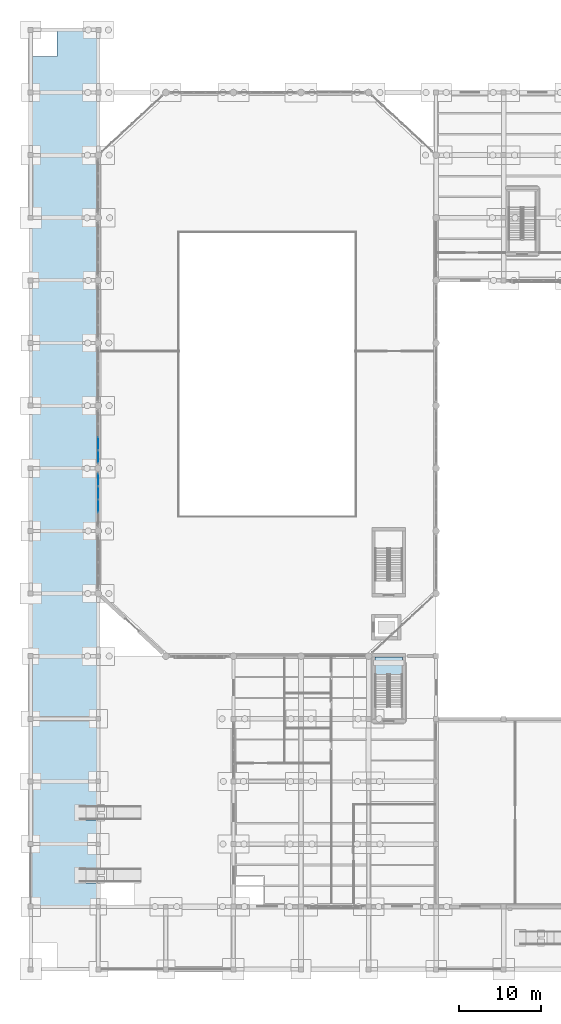
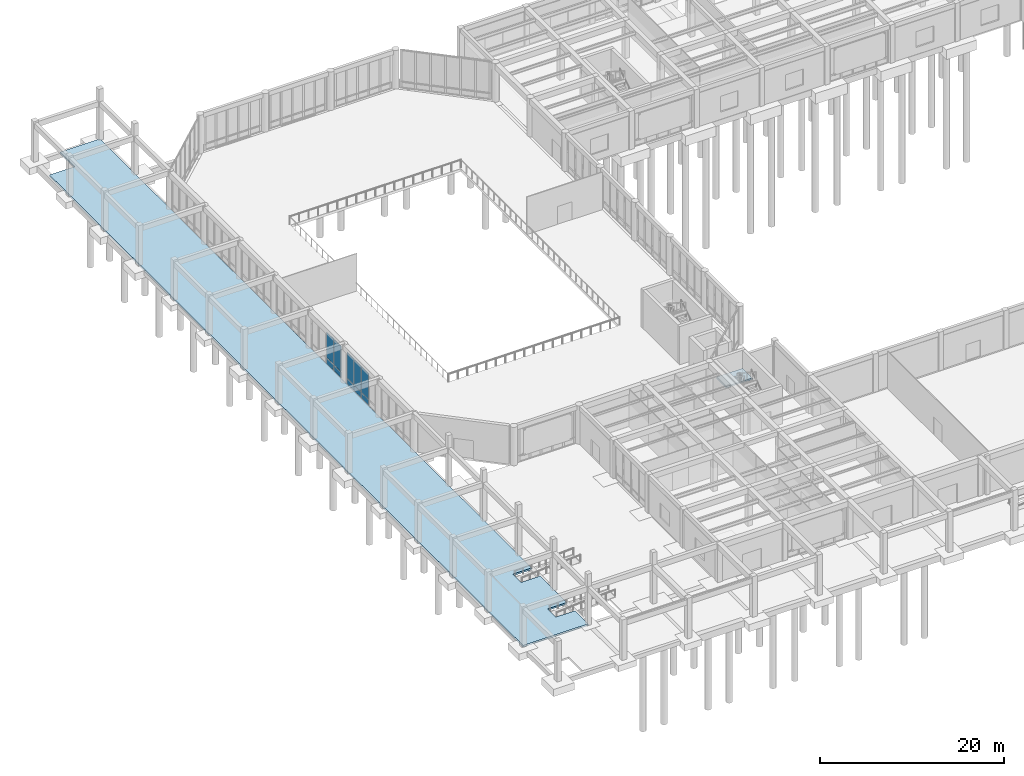
# One storey, part 35 of 64: 10 plates, 2 slabs, 3 elements without a shape of their own.
"""IFC4 building model written with IfcOpenShell, lengths in metres."""

from ifc_helpers import new_model, si_unit, direction, frame, origin, origin_2d, place, context, subcontext, project, spatial, polyline, rectangle, outline, extrude, material, layer, layer_set, type_object, element, aggregate, save


model = new_model("IFC4")

# Units and contexts
model_context = context("Model", 3, precision=1e-05, world=origin(), true_north=direction((0.0, 1.0)))
body_context = subcontext(model_context, "Body", "Model", "MODEL_VIEW")
ifc_project = project(units=[si_unit("LENGTHUNIT", "METRE"), si_unit("AREAUNIT", "SQUARE_METRE"), si_unit("VOLUMEUNIT", "CUBIC_METRE"), si_unit("PLANEANGLEUNIT", "RADIAN"), si_unit("MASSUNIT", "GRAM", prefix="KILO")], contexts=[model_context])

# Site, building, storey
site_placement = place(None, origin())
site = spatial("IfcSite", under=ifc_project, at=site_placement, CompositionType="ELEMENT")
building_placement = place(site_placement, origin())
building = spatial("IfcBuilding", under=site, at=building_placement, Name="Qandaris Square Conservatory and Botanical Centre", CompositionType="ELEMENT")
storey_placement = place(building_placement, origin())
storey = spatial("IfcBuildingStorey", under=building, at=storey_placement, Name="L00", CompositionType="ELEMENT", Elevation=0.0)

# Curtain wall, plates
ifc_material_1 = material(Name="Anodised Aluminium", Category="aluminium")
curtain_wall_type = type_object("IfcCurtainWallType", Name="Unitised Curtain Wall CW-1-644x435", PredefinedType="USERDEFINED", material=ifc_material_1)
curtain_wall_1_placement = place(storey_placement, origin())
curtain_wall_1 = element("IfcCurtainWall", 1, at=curtain_wall_1_placement, inside=storey, type_object=curtain_wall_type, Name="Curtain Wall CW-CON-L00-7-5", ObjectType="GLAZED CURTAIN WALL", PredefinedType="USERDEFINED")
ifc_material_2 = material(Name="Tempered Low-E Glass", Category="glass")
ifc_layer_1 = layer(ifc_material_2, 0.0400390625)
ifc_layer_set_1 = layer_set([ifc_layer_1], Name="Tempered Low-E Glass")
plate_type = type_object("IfcPlateType", Name="Conservatory Laminated Low-Iron Biome Glass 40mm", PredefinedType="CURTAIN_PANEL", material=ifc_layer_set_1)
plate_1_placement = place(storey_placement, frame((16.199951171875, 72.794921875, 0.0751953125), z_axis=(0.0, 0.0, 1.0), x_axis=(0.0, -1.0, 0.0)))
plate_1 = element("IfcPlate", 2, at=plate_1_placement, type_object=plate_type, Name="CW-1-644x435 panel 3.1", PredefinedType="CURTAIN_PANEL", context=body_context, shape_type="SweptSolid", body=[
    extrude(rectangle(XDim=1.534912109375, YDim=0.0400390625, at=origin_2d()), origin(), (0.0, 0.0, 1.0), 0.737548828125),
])
plate_2_placement = place(storey_placement, frame((16.199951171875, 72.794921875, 0.8876953125), z_axis=(0.0, 0.0, 1.0), x_axis=(0.0, -1.0, 0.0)))
plate_2 = element("IfcPlate", 3, at=plate_2_placement, type_object=plate_type, Name="CW-1-644x435 panel 3.2", PredefinedType="CURTAIN_PANEL", context=body_context, shape_type="SweptSolid", body=[
    extrude(rectangle(XDim=1.534912109375, YDim=0.0400390625, at=origin_2d()), origin(), (0.0, 0.0, 1.0), 3.387451171875),
])
plate_3_placement = place(storey_placement, frame((16.199951171875, 71.203857421875, 0.0751953125), z_axis=(0.0, 0.0, 1.0), x_axis=(0.0, -1.0, 0.0)))
plate_3 = element("IfcPlate", 4, at=plate_3_placement, type_object=plate_type, Name="CW-1-644x435 panel 4.1", PredefinedType="CURTAIN_PANEL", context=body_context, shape_type="SweptSolid", body=[
    extrude(rectangle(XDim=1.49755859375, YDim=0.0400390625, at=origin_2d()), origin(), (0.0, 0.0, 1.0), 0.737548828125),
])
plate_4_placement = place(storey_placement, frame((16.199951171875, 71.203857421875, 0.8876953125), z_axis=(0.0, 0.0, 1.0), x_axis=(0.0, -1.0, 0.0)))
plate_4 = element("IfcPlate", 5, at=plate_4_placement, type_object=plate_type, Name="CW-1-644x435 panel 4.2", PredefinedType="CURTAIN_PANEL", context=body_context, shape_type="SweptSolid", body=[
    extrude(rectangle(XDim=1.49755859375, YDim=0.0400390625, at=origin_2d()), origin(), (0.0, 0.0, 1.0), 3.387451171875),
])
aggregate(curtain_wall_1, [plate_1, plate_2, plate_3, plate_4])

curtain_wall_2_placement = place(storey_placement, origin())
curtain_wall_2 = element("IfcCurtainWall", 6, at=curtain_wall_2_placement, inside=storey, type_object=curtain_wall_type, Name="Curtain Wall CW-CON-L00-7-6", ObjectType="GLAZED CURTAIN WALL", PredefinedType="USERDEFINED")
plate_5_placement = place(storey_placement, frame((16.199951171875, 68.396240234375, 0.0751953125), z_axis=(0.0, 0.0, 1.0), x_axis=(0.0, -1.0, 0.0)))
plate_5 = element("IfcPlate", 7, at=plate_5_placement, type_object=plate_type, Name="CW-1-644x435 panel 1.1", PredefinedType="CURTAIN_PANEL", context=body_context, shape_type="SweptSolid", body=[
    extrude(rectangle(XDim=1.49755859375, YDim=0.0400390625, at=origin_2d()), origin(), (0.0, 0.0, 1.0), 0.737548828125),
])
plate_6_placement = place(storey_placement, frame((16.199951171875, 68.396240234375, 0.8876953125), z_axis=(0.0, 0.0, 1.0), x_axis=(0.0, -1.0, 0.0)))
plate_6 = element("IfcPlate", 8, at=plate_6_placement, type_object=plate_type, Name="CW-1-644x435 panel 1.2", PredefinedType="CURTAIN_PANEL", context=body_context, shape_type="SweptSolid", body=[
    extrude(rectangle(XDim=1.49755859375, YDim=0.0400390625, at=origin_2d()), origin(), (0.0, 0.0, 1.0), 3.387451171875),
])
plate_7_placement = place(storey_placement, frame((16.199951171875, 66.804931640625, 0.0751953125), z_axis=(0.0, 0.0, 1.0), x_axis=(0.0, -1.0, 0.0)))
plate_7 = element("IfcPlate", 9, at=plate_7_placement, type_object=plate_type, Name="CW-1-644x435 panel 2.1", PredefinedType="CURTAIN_PANEL", context=body_context, shape_type="SweptSolid", body=[
    extrude(rectangle(XDim=1.534912109375, YDim=0.0400390625, at=origin_2d()), origin(), (0.0, 0.0, 1.0), 0.737548828125),
])
plate_8_placement = place(storey_placement, frame((16.199951171875, 66.804931640625, 0.8876953125), z_axis=(0.0, 0.0, 1.0), x_axis=(0.0, -1.0, 0.0)))
plate_8 = element("IfcPlate", 10, at=plate_8_placement, type_object=plate_type, Name="CW-1-644x435 panel 2.2", PredefinedType="CURTAIN_PANEL", context=body_context, shape_type="SweptSolid", body=[
    extrude(rectangle(XDim=1.534912109375, YDim=0.0400390625, at=origin_2d()), origin(), (0.0, 0.0, 1.0), 3.387451171875),
])
plate_9_placement = place(storey_placement, frame((16.199951171875, 65.195068359375, 0.0751953125), z_axis=(0.0, 0.0, 1.0), x_axis=(0.0, -1.0, 0.0)))
plate_9 = element("IfcPlate", 11, at=plate_9_placement, type_object=plate_type, Name="CW-1-644x435 panel 3.1", PredefinedType="CURTAIN_PANEL", context=body_context, shape_type="SweptSolid", body=[
    extrude(rectangle(XDim=1.534912109375, YDim=0.0400390625, at=origin_2d()), origin(), (0.0, 0.0, 1.0), 0.737548828125),
])
plate_10_placement = place(storey_placement, frame((16.199951171875, 65.195068359375, 0.8876953125), z_axis=(0.0, 0.0, 1.0), x_axis=(0.0, -1.0, 0.0)))
plate_10 = element("IfcPlate", 12, at=plate_10_placement, type_object=plate_type, Name="CW-1-644x435 panel 3.2", PredefinedType="CURTAIN_PANEL", context=body_context, shape_type="SweptSolid", body=[
    extrude(rectangle(XDim=1.534912109375, YDim=0.0400390625, at=origin_2d()), origin(), (0.0, 0.0, 1.0), 3.387451171875),
])
aggregate(curtain_wall_2, [plate_5, plate_6, plate_7, plate_8, plate_9, plate_10])

# Slab
ifc_material_3 = material(Name="Concrete C40/50", Category="concrete")
ifc_layer_2 = layer(ifc_material_3, 0.235107421875)
ifc_layer_set_2 = layer_set([ifc_layer_2], Name="Concrete C40/50")
slab_type_1 = type_object("IfcSlabType", Name="RC Exterior Terrace Slab 235mm", PredefinedType="FLOOR", material=ifc_layer_set_2)
slab_1_placement = place(storey_placement, frame((0.0, 0.0, -0.235107421875)))
element("IfcSlab", 13, at=slab_1_placement, inside=storey, type_object=slab_type_1, Name="Colonnade Plaza Deck COL-W", PredefinedType="FLOOR", context=body_context, shape_type="SweptSolid", body=[
    extrude(outline(polyline([(8.0, 16.60009765625), (8.0, 119.800048828125), (11.199951171875, 119.800048828125), (11.199951171875, 123.0), (16.199951171875, 123.0), (16.199951171875, 28.89990234375), (13.800048828125, 28.89990234375), (13.800048828125, 27.10009765625), (16.199951171875, 27.10009765625), (16.199951171875, 21.300048828125), (13.800048828125, 21.300048828125), (13.800048828125, 19.5), (16.199951171875, 19.5), (16.199951171875, 16.60009765625), (8.0, 16.60009765625)])), origin(), (0.0, 0.0, 1.0), 0.235107421875),
])

# Stair, slab
stair_type = type_object("IfcStairType", Name="Podium Grand Escape Stair 1550mm", PredefinedType="HALF_TURN_STAIR", material=ifc_material_3)
stair_placement = place(storey_placement, origin())
stair = element("IfcStair", 14, at=stair_placement, inside=storey, type_object=stair_type, Name="L00 Visitor Wing Exit Stair ST-4", PredefinedType="HALF_TURN_STAIR")
ifc_layer_3 = layer(ifc_material_3, 0.219970703125)
ifc_layer_set_3 = layer_set([ifc_layer_3], Name="Concrete C40/50")
slab_type_2 = type_object("IfcSlabType", Name="RC Stair Half-Landing Slab 220mm", PredefinedType="LANDING", material=ifc_layer_set_3)
slab_2_placement = place(storey_placement, frame((0.0, 0.0, 2.5)))
slab_2 = element("IfcSlab", 15, at=slab_2_placement, type_object=slab_type_2, Name="ST-4 landing 1", PredefinedType="LANDING", context=body_context, shape_type="SweptSolid", body=[
    extrude(outline(polyline([(53.10009765625, 44.77001953125), (53.10009765625, 46.89990234375), (49.800048828125, 46.89990234375), (49.800048828125, 44.77001953125), (53.10009765625, 44.77001953125)])), origin(), (0.0, 0.0, 1.0), 0.199951171875),
])
aggregate(stair, [slab_2])

save(model, "model.ifc")
